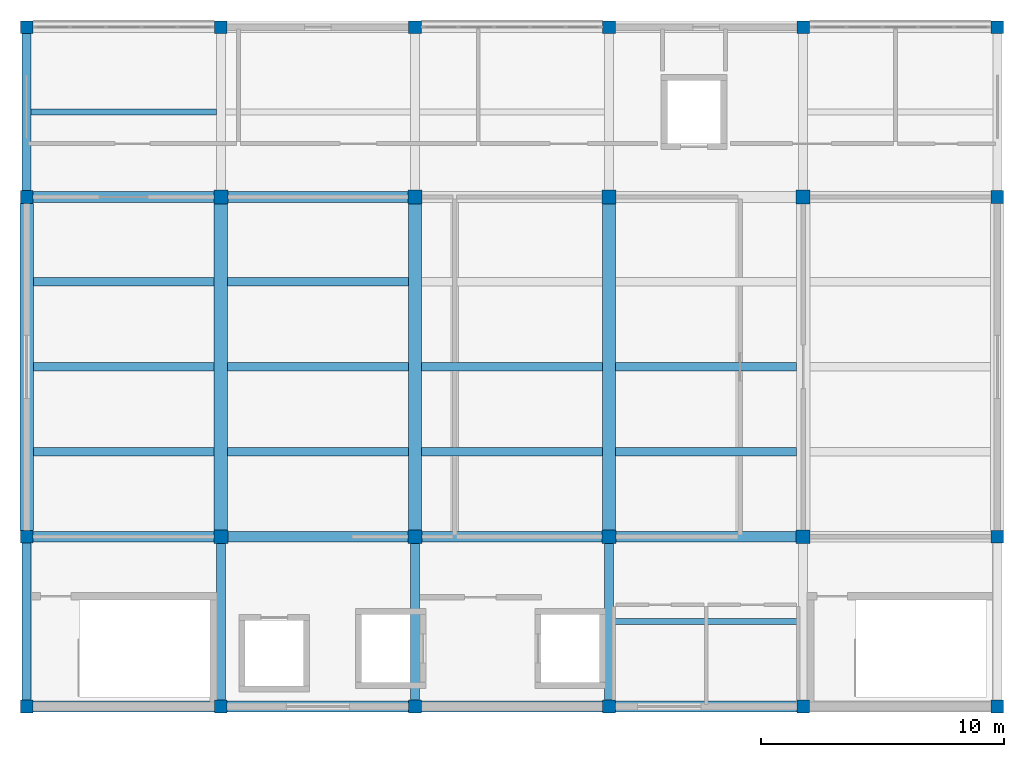
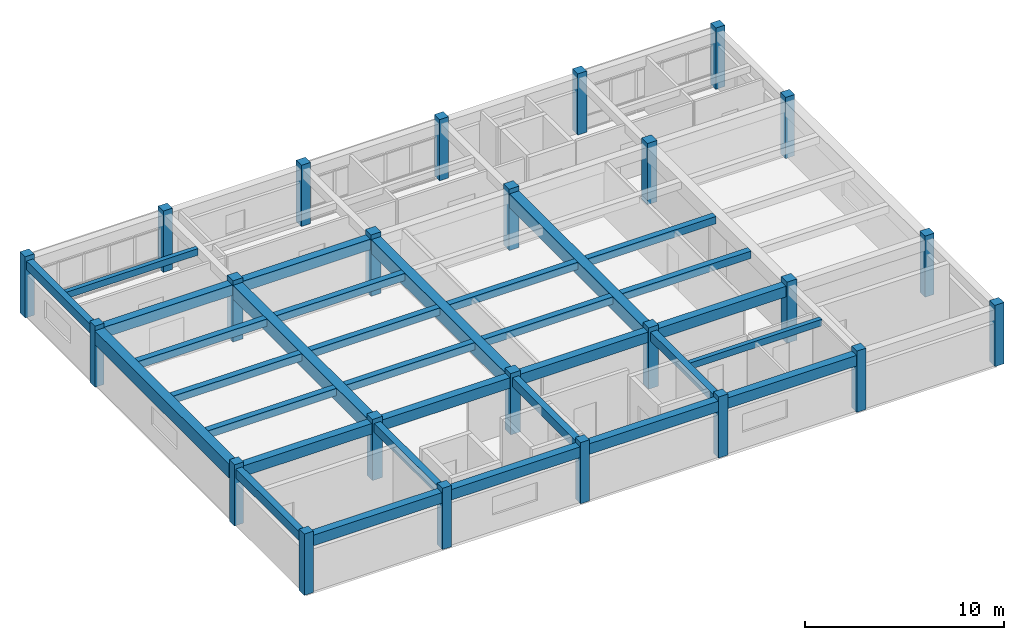
# One storey, part 1 of 7: 31 beams, 24 columns.
"""IFC4 building model written with IfcOpenShell, lengths in metres."""

from ifc_helpers import new_model, si_unit, direction, frame, origin, origin_2d, place, context, subcontext, project, spatial, rectangle, extrude, material, material_profile, profile_set, type_object, element, save


model = new_model("IFC4")

# Units and contexts
model_context = context("Model", 3, precision=1e-05, world=origin(), true_north=direction((0.0, 1.0)))
body_context = subcontext(model_context, "Body", "Model", "MODEL_VIEW")
ifc_project = project(units=[si_unit("LENGTHUNIT", "METRE"), si_unit("AREAUNIT", "SQUARE_METRE"), si_unit("VOLUMEUNIT", "CUBIC_METRE"), si_unit("PLANEANGLEUNIT", "RADIAN"), si_unit("MASSUNIT", "GRAM", prefix="KILO")], contexts=[model_context])

# Site, building, storey
site_placement = place(None, origin())
site = spatial("IfcSite", under=ifc_project, at=site_placement, CompositionType="ELEMENT")
building_placement = place(site_placement, origin())
building = spatial("IfcBuilding", under=site, at=building_placement, Name="Naurynzar Civic Courthouse", CompositionType="ELEMENT")
storey_placement = place(building_placement, frame((0.0, 0.0, 37.050048828125)))
storey = spatial("IfcBuildingStorey", under=building, at=storey_placement, Name="L10", CompositionType="ELEMENT", Elevation=37.050048828125)

# Columns
ifc_material_1 = material(Name="Concrete C40/50", Category="concrete")
ifc_material_profile_1 = material_profile(ifc_material_1, rectangle(XDim=0.52490234375, YDim=0.52490234375, at=origin_2d()), Name="RC 525x525")
ifc_profile_set_1 = profile_set([ifc_material_profile_1], Name="Concrete C40/50")
column_type_1 = type_object("IfcColumnType", Name="COL-RC-525x525", PredefinedType="COLUMN", material=ifc_profile_set_1)
for number, where, z_axis, x_axis, name in (
    (1, (69.0, 44.0, 0.0), (0.0, 0.0, 1.0), (1.0, 0.0, 0.0), "V2 column (69.0,44.0) L10"),
    (2, (69.0, 51.0, 0.0), (0.0, 0.0, 1.0), (1.0, 0.0, 0.0), "V2 column (69.0,51.0) L10"),
    (3, (69.0, 65.0, 0.0), (0.0, 0.0, 1.0), (1.0, 0.0, 0.0), "V2 column (69.0,65.0) L10"),
    (4, (69.0, 72.0, 0.0), (0.0, 0.0, 1.0), (1.0, 0.0, 0.0), "V2 column (69.0,72.0) L10"),
    (5, (77.0, 44.0, 0.0), (0.0, 0.0, 1.0), (1.0, 0.0, 0.0), "V2 column (77.0,44.0) L10"),
    (6, (77.0, 72.0, 0.0), (0.0, 0.0, 1.0), (1.0, 0.0, 0.0), "V2 column (77.0,72.0) L10"),
    (7, (85.0, 44.0, 0.0), (0.0, 0.0, 1.0), (1.0, 0.0, 0.0), "V2 column (85.0,44.0) L10"),
    (8, (85.0, 72.0, 0.0), (0.0, 0.0, 1.0), (1.0, 0.0, 0.0), "V2 column (85.0,72.0) L10"),
    (9, (93.0, 44.0, 0.0), (0.0, 0.0, 1.0), (1.0, 0.0, 0.0), "V2 column (93.0,44.0) L10"),
    (10, (93.0, 72.0, 0.0), (0.0, 0.0, 1.0), (1.0, 0.0, 0.0), "V2 column (93.0,72.0) L10"),
    (11, (101.0, 44.0, 0.0), (0.0, 0.0, 1.0), (1.0, 0.0, 0.0), "V2 column (101.0,44.0) L10"),
    (12, (101.0, 72.0, 0.0), (0.0, 0.0, 1.0), (1.0, 0.0, 0.0), "V2 column (101.0,72.0) L10"),
    (13, (109.0, 44.0, 0.0), (0.0, 0.0, 1.0), (1.0, 0.0, 0.0), "V2 column (109.0,44.0) L10"),
    (14, (109.0, 51.0, 0.0), (0.0, 0.0, 1.0), (1.0, 0.0, 0.0), "V2 column (109.0,51.0) L10"),
    (15, (109.0, 65.0, 0.0), (0.0, 0.0, 1.0), (1.0, 0.0, 0.0), "V2 column (109.0,65.0) L10"),
    (16, (109.0, 72.0, 0.0), (0.0, 0.0, 1.0), (1.0, 0.0, 0.0), "V2 column (109.0,72.0) L10"),
):
    element("IfcColumn", number, at=place(storey_placement, frame(where, z_axis=z_axis, x_axis=x_axis)), inside=storey, type_object=column_type_1, Name=name, PredefinedType="COLUMN", context=body_context, shape_type="SweptSolid", body=[
        extrude(rectangle(XDim=0.52490234375, YDim=0.52490234375, at=origin_2d()), origin(), (0.0, 0.0, 1.0), 3.75),
    ])
ifc_material_2 = material(Name="Concrete C40/50", Category="concrete")
ifc_material_profile_2 = material_profile(ifc_material_2, rectangle(XDim=0.574951171875, YDim=0.574951171875, at=origin_2d()), Name="RC 575x575")
ifc_profile_set_2 = profile_set([ifc_material_profile_2], Name="Concrete C40/50")
column_type_2 = type_object("IfcColumnType", Name="COL-RC-575x575", PredefinedType="COLUMN", material=ifc_profile_set_2)
for number, where, z_axis, x_axis, name in (
    (17, (77.0, 51.0, 0.0), (0.0, 0.0, 1.0), (1.0, 0.0, 0.0), "V2 column (77.0,51.0) L10"),
    (18, (77.0, 65.0, 0.0), (0.0, 0.0, 1.0), (1.0, 0.0, 0.0), "V2 column (77.0,65.0) L10"),
    (19, (85.0, 51.0, 0.0), (0.0, 0.0, 1.0), (1.0, 0.0, 0.0), "V2 column (85.0,51.0) L10"),
    (20, (85.0, 65.0, 0.0), (0.0, 0.0, 1.0), (1.0, 0.0, 0.0), "V2 column (85.0,65.0) L10"),
    (21, (93.0, 51.0, 0.0), (0.0, 0.0, 1.0), (1.0, 0.0, 0.0), "V2 column (93.0,51.0) L10"),
    (22, (93.0, 65.0, 0.0), (0.0, 0.0, 1.0), (1.0, 0.0, 0.0), "V2 column (93.0,65.0) L10"),
    (23, (101.0, 51.0, 0.0), (0.0, 0.0, 1.0), (1.0, 0.0, 0.0), "V2 column (101.0,51.0) L10"),
    (24, (101.0, 65.0, 0.0), (0.0, 0.0, 1.0), (1.0, 0.0, 0.0), "V2 column (101.0,65.0) L10"),
):
    element("IfcColumn", number, at=place(storey_placement, frame(where, z_axis=z_axis, x_axis=x_axis)), inside=storey, type_object=column_type_2, Name=name, PredefinedType="COLUMN", context=body_context, shape_type="SweptSolid", body=[
        extrude(rectangle(XDim=0.574951171875, YDim=0.574951171875, at=origin_2d()), origin(), (0.0, 0.0, 1.0), 3.75),
    ])

# Beams
ifc_material_3 = material(Name="Concrete C40/50", Category="concrete")
ifc_material_profile_3 = material_profile(ifc_material_3, rectangle(XDim=0.25, YDim=0.39990234375, at=origin_2d()), Name="RCB 250x400")
ifc_profile_set_3 = profile_set([ifc_material_profile_3], Name="Concrete C40/50")
beam_type_1 = type_object("IfcBeamType", Name="BM-JST-250x400", PredefinedType="JOIST", material=ifc_profile_set_3)
for number, where, z_axis, x_axis, name in (
    (25, (93.1875, 47.5, 3.27001953125), (1.0, 0.0, 0.0), (0.0, 1.0, 0.0), "V2 secondary rib 1166 L10"),
    (26, (69.1875, 68.5, 3.27001953125), (1.0, 0.0, 0.0), (0.0, 1.0, 0.0), "V2 secondary rib 1182 L10"),
):
    element("IfcBeam", number, at=place(storey_placement, frame(where, z_axis=z_axis, x_axis=x_axis)), inside=storey, type_object=beam_type_1, Name=name, PredefinedType="JOIST", context=body_context, shape_type="SweptSolid", body=[
        extrude(rectangle(XDim=0.25, YDim=0.39990234375, at=origin_2d()), origin(), (0.0, 0.0, 1.0), 7.625),
    ])
ifc_material_4 = material(Name="Concrete C40/50", Category="concrete")
ifc_material_profile_4 = material_profile(ifc_material_4, rectangle(XDim=0.550048828125, YDim=0.85009765625, at=origin_2d()), Name="PTB 550x850")
ifc_profile_set_4 = profile_set([ifc_material_profile_4], Name="Concrete C40/50")
beam_type_2 = type_object("IfcBeamType", Name="BM-PT-550x850", PredefinedType="T_BEAM", material=ifc_profile_set_4)
beam_1_placement = place(storey_placement, frame((69.0, 51.262451171875, 3.044921875), z_axis=(0.0, 1.0, 0.0), x_axis=(-1.0, 0.0, 0.0)))
element("IfcBeam", 27, at=beam_1_placement, inside=storey, type_object=beam_type_2, Name="V2 girder Y-1149 L10", PredefinedType="T_BEAM", context=body_context, shape_type="SweptSolid", body=[
    extrude(rectangle(XDim=0.550048828125, YDim=0.85009765625, at=origin_2d()), origin(), (0.0, 0.0, 1.0), 13.47509765625),
])
for number, where, z_axis, x_axis, name in (
    (28, (77.0, 51.28759765625, 3.044921875), (0.0, 1.0, 0.0), (-1.0, 0.0, 0.0), "V2 girder Y-1152 L10"),
    (29, (85.0, 51.28759765625, 3.044921875), (0.0, 1.0, 0.0), (-1.0, 0.0, 0.0), "V2 girder Y-1155 L10"),
    (30, (93.0, 51.28759765625, 3.044921875), (0.0, 1.0, 0.0), (-1.0, 0.0, 0.0), "V2 girder Y-1158 L10"),
):
    element("IfcBeam", number, at=place(storey_placement, frame(where, z_axis=z_axis, x_axis=x_axis)), inside=storey, type_object=beam_type_2, Name=name, PredefinedType="T_BEAM", context=body_context, shape_type="SweptSolid", body=[
        extrude(rectangle(XDim=0.550048828125, YDim=0.85009765625, at=origin_2d()), origin(), (0.0, 0.0, 1.0), 13.4248046875),
    ])
ifc_material_5 = material(Name="Concrete C40/50", Category="concrete")
ifc_material_profile_5 = material_profile(ifc_material_5, rectangle(XDim=0.35009765625, YDim=0.449951171875, at=origin_2d()), Name="RCB 350x450")
ifc_profile_set_5 = profile_set([ifc_material_profile_5], Name="Concrete C40/50")
beam_type_3 = type_object("IfcBeamType", Name="BM-RC-350x450", PredefinedType="BEAM", material=ifc_profile_set_5)
for number, where, z_axis, x_axis, name in (
    (31, (69.27490234375, 54.5, 3.244873046875), (1.0, 0.0, 0.0), (0.0, 1.0, 0.0), "V2 secondary rib 1167 L10"),
    (32, (69.27490234375, 58.0, 3.244873046875), (1.0, 0.0, 0.0), (0.0, 1.0, 0.0), "V2 secondary rib 1168 L10"),
    (33, (69.27490234375, 61.5, 3.244873046875), (1.0, 0.0, 0.0), (0.0, 1.0, 0.0), "V2 secondary rib 1169 L10"),
    (34, (77.27490234375, 54.5, 3.244873046875), (1.0, 0.0, 0.0), (0.0, 1.0, 0.0), "V2 secondary rib 1170 L10"),
    (35, (77.27490234375, 58.0, 3.244873046875), (1.0, 0.0, 0.0), (0.0, 1.0, 0.0), "V2 secondary rib 1171 L10"),
    (36, (77.27490234375, 61.5, 3.244873046875), (1.0, 0.0, 0.0), (0.0, 1.0, 0.0), "V2 secondary rib 1172 L10"),
    (37, (85.27490234375, 54.5, 3.244873046875), (1.0, 0.0, 0.0), (0.0, 1.0, 0.0), "V2 secondary rib 1173 L10"),
    (38, (85.27490234375, 58.0, 3.244873046875), (1.0, 0.0, 0.0), (0.0, 1.0, 0.0), "V2 secondary rib 1174 L10"),
    (39, (93.27490234375, 54.5, 3.244873046875), (1.0, 0.0, 0.0), (0.0, 1.0, 0.0), "V2 secondary rib 1176 L10"),
    (40, (93.27490234375, 58.0, 3.244873046875), (1.0, 0.0, 0.0), (0.0, 1.0, 0.0), "V2 secondary rib 1177 L10"),
):
    element("IfcBeam", number, at=place(storey_placement, frame(where, z_axis=z_axis, x_axis=x_axis)), inside=storey, type_object=beam_type_3, Name=name, PredefinedType="BEAM", context=body_context, shape_type="SweptSolid", body=[
        extrude(rectangle(XDim=0.35009765625, YDim=0.449951171875, at=origin_2d()), origin(), (0.0, 0.0, 1.0), 7.4501953125),
    ])
ifc_material_6 = material(Name="Concrete C40/50", Category="concrete")
ifc_material_profile_6 = material_profile(ifc_material_6, rectangle(XDim=0.375, YDim=0.550048828125, at=origin_2d()), Name="RCB 375x550")
ifc_profile_set_6 = profile_set([ifc_material_profile_6], Name="Concrete C40/50")
beam_type_4 = type_object("IfcBeamType", Name="BM-RC-375x550", PredefinedType="BEAM", material=ifc_profile_set_6)
for number, where, z_axis, x_axis, name in (
    (41, (69.0, 44.262451171875, 3.195068359375), (0.0, 1.0, 0.0), (-1.0, 0.0, 0.0), "V2 girder Y-1148 L10"),
    (42, (69.0, 65.262451171875, 3.195068359375), (0.0, 1.0, 0.0), (-1.0, 0.0, 0.0), "V2 girder Y-1150 L10"),
):
    element("IfcBeam", number, at=place(storey_placement, frame(where, z_axis=z_axis, x_axis=x_axis)), inside=storey, type_object=beam_type_4, Name=name, PredefinedType="BEAM", context=body_context, shape_type="SweptSolid", body=[
        extrude(rectangle(XDim=0.375, YDim=0.550048828125, at=origin_2d()), origin(), (0.0, 0.0, 1.0), 6.47509765625),
    ])
for number, where, z_axis, x_axis, name in (
    (43, (77.0, 44.262451171875, 3.195068359375), (0.0, 1.0, 0.0), (-1.0, 0.0, 0.0), "V2 girder Y-1151 L10"),
    (44, (85.0, 44.262451171875, 3.195068359375), (0.0, 1.0, 0.0), (-1.0, 0.0, 0.0), "V2 girder Y-1154 L10"),
    (45, (93.0, 44.262451171875, 3.195068359375), (0.0, 1.0, 0.0), (-1.0, 0.0, 0.0), "V2 girder Y-1157 L10"),
):
    element("IfcBeam", number, at=place(storey_placement, frame(where, z_axis=z_axis, x_axis=x_axis)), inside=storey, type_object=beam_type_4, Name=name, PredefinedType="BEAM", context=body_context, shape_type="SweptSolid", body=[
        extrude(rectangle(XDim=0.375, YDim=0.550048828125, at=origin_2d()), origin(), (0.0, 0.0, 1.0), 6.449951171875),
    ])
ifc_material_7 = material(Name="Concrete C40/50", Category="concrete")
ifc_material_profile_7 = material_profile(ifc_material_7, rectangle(XDim=0.449951171875, YDim=0.64990234375, at=origin_2d()), Name="RCB 450x650")
ifc_profile_set_7 = profile_set([ifc_material_profile_7], Name="Concrete C40/50")
beam_type_5 = type_object("IfcBeamType", Name="BM-RC-450x650", PredefinedType="BEAM", material=ifc_profile_set_7)
for number, where, z_axis, x_axis, name in (
    (46, (69.262451171875, 44.0, 3.14501953125), (1.0, 0.0, 0.0), (0.0, 1.0, 0.0), "V2 beam X-1128 L10"),
    (47, (77.262451171875, 44.0, 3.14501953125), (1.0, 0.0, 0.0), (0.0, 1.0, 0.0), "V2 beam X-1129 L10"),
    (48, (85.262451171875, 44.0, 3.14501953125), (1.0, 0.0, 0.0), (0.0, 1.0, 0.0), "V2 beam X-1130 L10"),
    (49, (93.262451171875, 44.0, 3.14501953125), (1.0, 0.0, 0.0), (0.0, 1.0, 0.0), "V2 beam X-1131 L10"),
):
    element("IfcBeam", number, at=place(storey_placement, frame(where, z_axis=z_axis, x_axis=x_axis)), inside=storey, type_object=beam_type_5, Name=name, PredefinedType="BEAM", context=body_context, shape_type="SweptSolid", body=[
        extrude(rectangle(XDim=0.449951171875, YDim=0.64990234375, at=origin_2d()), origin(), (0.0, 0.0, 1.0), 7.47509765625),
    ])
beam_2_placement = place(storey_placement, frame((69.262451171875, 51.0, 3.14501953125), z_axis=(1.0, 0.0, 0.0), x_axis=(0.0, 1.0, 0.0)))
element("IfcBeam", 50, at=beam_2_placement, inside=storey, type_object=beam_type_5, Name="V2 beam X-1133 L10", PredefinedType="BEAM", context=body_context, shape_type="SweptSolid", body=[
    extrude(rectangle(XDim=0.449951171875, YDim=0.64990234375, at=origin_2d()), origin(), (0.0, 0.0, 1.0), 7.449951171875),
])
for number, where, z_axis, x_axis, name in (
    (51, (77.28759765625, 51.0, 3.14501953125), (1.0, 0.0, 0.0), (0.0, 1.0, 0.0), "V2 beam X-1134 L10"),
    (52, (85.28759765625, 51.0, 3.14501953125), (1.0, 0.0, 0.0), (0.0, 1.0, 0.0), "V2 beam X-1135 L10"),
    (53, (93.28759765625, 51.0, 3.14501953125), (1.0, 0.0, 0.0), (0.0, 1.0, 0.0), "V2 beam X-1136 L10"),
):
    element("IfcBeam", number, at=place(storey_placement, frame(where, z_axis=z_axis, x_axis=x_axis)), inside=storey, type_object=beam_type_5, Name=name, PredefinedType="BEAM", context=body_context, shape_type="SweptSolid", body=[
        extrude(rectangle(XDim=0.449951171875, YDim=0.64990234375, at=origin_2d()), origin(), (0.0, 0.0, 1.0), 7.4248046875),
    ])
beam_3_placement = place(storey_placement, frame((69.262451171875, 65.0, 3.14501953125), z_axis=(1.0, 0.0, 0.0), x_axis=(0.0, 1.0, 0.0)))
element("IfcBeam", 54, at=beam_3_placement, inside=storey, type_object=beam_type_5, Name="V2 beam X-1138 L10", PredefinedType="BEAM", context=body_context, shape_type="SweptSolid", body=[
    extrude(rectangle(XDim=0.449951171875, YDim=0.64990234375, at=origin_2d()), origin(), (0.0, 0.0, 1.0), 7.449951171875),
])
beam_4_placement = place(storey_placement, frame((77.28759765625, 65.0, 3.14501953125), z_axis=(1.0, 0.0, 0.0), x_axis=(0.0, 1.0, 0.0)))
element("IfcBeam", 55, at=beam_4_placement, inside=storey, type_object=beam_type_5, Name="V2 beam X-1139 L10", PredefinedType="BEAM", context=body_context, shape_type="SweptSolid", body=[
    extrude(rectangle(XDim=0.449951171875, YDim=0.64990234375, at=origin_2d()), origin(), (0.0, 0.0, 1.0), 7.4248046875),
])

save(model, "model.ifc")
